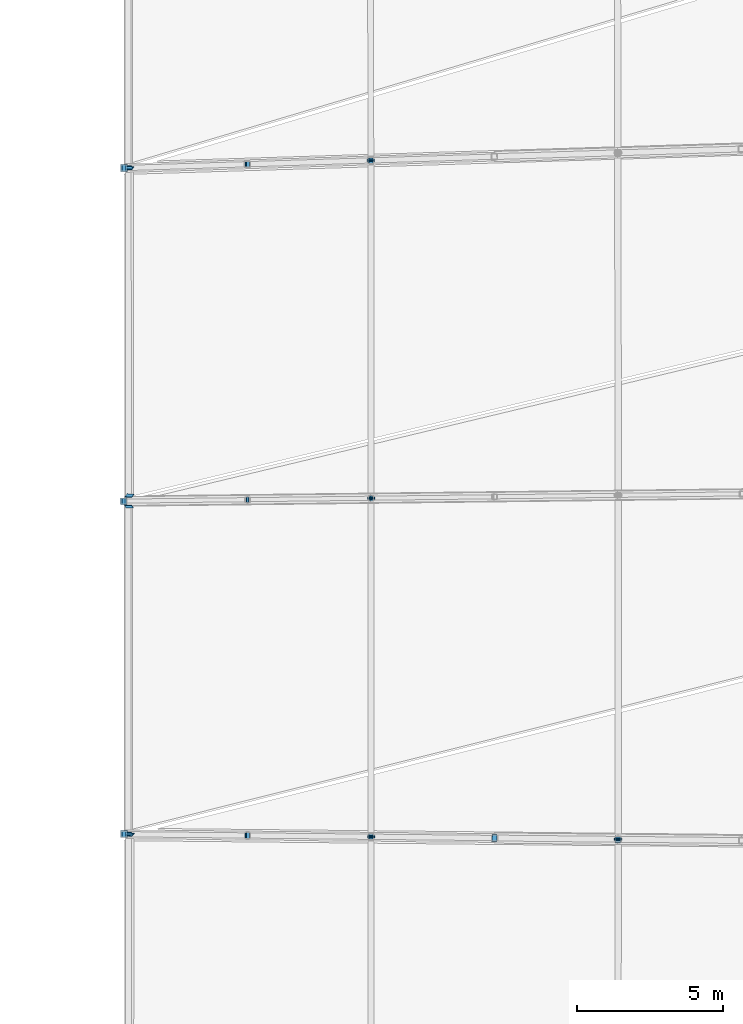
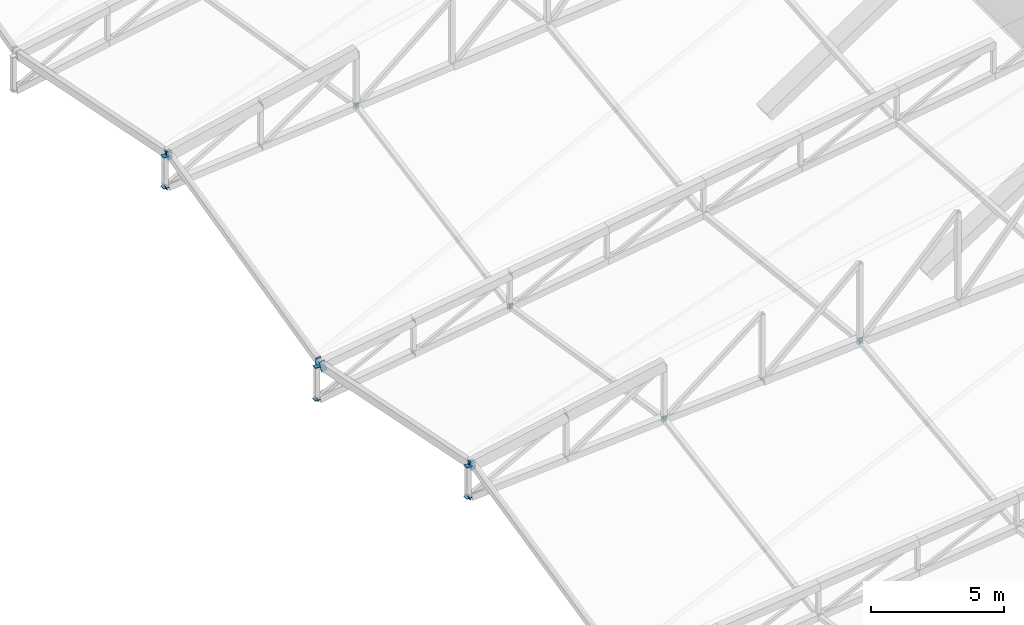
# One storey, part 305 of 344: 35 discrete accessories.
"""IFC4 building model written with IfcOpenShell, lengths in metres."""

from ifc_helpers import new_model, si_unit, direction, frame, origin, origin_2d, place, context, subcontext, project, spatial, rectangle, extrude, material, material_profile, profile_set, type_object, element, save


model = new_model("IFC4")

# Units and contexts
model_context = context("Model", 3, precision=1e-05, world=origin(), true_north=direction((0.0, 1.0)))
body_context = subcontext(model_context, "Body", "Model", "MODEL_VIEW")
ifc_project = project(units=[si_unit("LENGTHUNIT", "METRE"), si_unit("AREAUNIT", "SQUARE_METRE"), si_unit("VOLUMEUNIT", "CUBIC_METRE"), si_unit("PLANEANGLEUNIT", "RADIAN"), si_unit("MASSUNIT", "GRAM", prefix="KILO")], contexts=[model_context])

# Site, building, storey
site_placement = place(None, origin())
site = spatial("IfcSite", under=ifc_project, at=site_placement, CompositionType="ELEMENT")
building_placement = place(site_placement, origin())
building = spatial("IfcBuilding", under=site, at=building_placement, Name="Meseta Stadium", CompositionType="ELEMENT")
storey_placement = place(building_placement, frame((0.0, 0.0, 24.0)))
storey = spatial("IfcBuildingStorey", under=building, at=storey_placement, Name="L04", CompositionType="ELEMENT", Elevation=24.0)

# Discrete accessories
ifc_material_1 = material(Name="Steel S355", Category="steel")
ifc_material_profile_1 = material_profile(ifc_material_1, rectangle(XDim=0.179931640625, YDim=0.179931640625, at=origin_2d()), Name="PL 180x180")
ifc_profile_set_1 = profile_set([ifc_material_profile_1], Name="Steel S355")
discrete_accessory_type_1 = type_object("IfcDiscreteAccessoryType", Name="End plate 180x180x20", PredefinedType="ANCHORPLATE", material=ifc_profile_set_1)
discrete_accessory_1_placement = place(storey_placement, frame((46.981689453125, 5.690673828125, 1.275390625), z_axis=(0.894427191, 0.0, 0.4472135955), x_axis=(0.0, 1.0, 0.0)))
element("IfcDiscreteAccessory", 1, at=discrete_accessory_1_placement, inside=storey, type_object=discrete_accessory_type_1, Name="End plate of ROOF TRUSS RT-05 diagonal", PredefinedType="ANCHORPLATE", context=body_context, shape_type="SweptSolid", body=[
    extrude(rectangle(XDim=0.179931640625, YDim=0.179931640625, at=origin_2d()), origin(), (0.0, 0.0, 1.0), 0.020263671875),
])
for number, where, z_axis, x_axis, name in (
    (2, (51.2216796875, 5.740478515625, 3.37451171875), (0.891970083601, 0.0, 0.452094425935), (0.0, 1.0, 0.0), "End plate of ROOF TRUSS RT-05 diagonal"),
    (3, (51.20361328125, 5.740234375, 1.888427734375), (0.899168702485, 0.012150928412, 0.437433422831), (-0.013512279797, 0.99990870498, 0.0), "End plate of ROOF TRUSS RT-05 diagonal"),
):
    element("IfcDiscreteAccessory", number, at=place(storey_placement, frame(where, z_axis=z_axis, x_axis=x_axis)), inside=storey, type_object=discrete_accessory_type_1, Name=name, PredefinedType="ANCHORPLATE", context=body_context, shape_type="SweptSolid", body=[
        extrude(rectangle(XDim=0.179931640625, YDim=0.179931640625, at=origin_2d()), origin(), (0.0, 0.0, 1.0), 0.02001953125),
    ])
discrete_accessory_2_placement = place(storey_placement, frame((55.443603515625, 5.7900390625, 3.987548828125), z_axis=(0.896803189872, 0.012284975204, 0.442259107334), x_axis=(-0.013697345027, 0.999906186969, 0.0)))
element("IfcDiscreteAccessory", 4, at=discrete_accessory_2_placement, inside=storey, type_object=discrete_accessory_type_1, Name="End plate of ROOF TRUSS RT-05 diagonal", PredefinedType="ANCHORPLATE", context=body_context, shape_type="SweptSolid", body=[
    extrude(rectangle(XDim=0.179931640625, YDim=0.179931640625, at=origin_2d()), origin(), (0.0, 0.0, 1.0), 0.019775390625),
])
discrete_accessory_3_placement = place(storey_placement, frame((55.425537109375, 5.789794921875, 2.501220703125), z_axis=(0.899168702485, 0.012150928412, 0.437433422831), x_axis=(-0.013512279797, 0.99990870498, 0.0)))
element("IfcDiscreteAccessory", 5, at=discrete_accessory_3_placement, inside=storey, type_object=discrete_accessory_type_1, Name="End plate of ROOF TRUSS RT-05 diagonal", PredefinedType="ANCHORPLATE", context=body_context, shape_type="SweptSolid", body=[
    extrude(rectangle(XDim=0.179931640625, YDim=0.179931640625, at=origin_2d()), origin(), (0.0, 0.0, 1.0), 0.02001953125),
])
ifc_material_2 = material(Name="Steel S355", Category="steel")
ifc_material_profile_2 = material_profile(ifc_material_2, rectangle(XDim=0.219970703125, YDim=0.219970703125, at=origin_2d()), Name="PL 220x220")
ifc_profile_set_2 = profile_set([ifc_material_profile_2], Name="Steel S355")
discrete_accessory_type_2 = type_object("IfcDiscreteAccessoryType", Name="End plate 220x220x20", PredefinedType="ANCHORPLATE", material=ifc_profile_set_2)
discrete_accessory_4_placement = place(storey_placement, frame((46.98193359375, -5.690673828125, 3.69482421875), z_axis=(0.882018256262, 0.0, 0.471215232798), x_axis=(0.0, 1.0, 0.0)))
element("IfcDiscreteAccessory", 6, at=discrete_accessory_4_placement, inside=storey, type_object=discrete_accessory_type_2, Name="End plate of ROOF TRUSS RT-04 diagonal", PredefinedType="ANCHORPLATE", context=body_context, shape_type="SweptSolid", body=[
    extrude(rectangle(XDim=0.219970703125, YDim=0.219970703125, at=origin_2d()), origin(), (0.0, 0.0, 1.0), 0.020263671875),
])
for number, where, z_axis, x_axis, name in (
    (7, (51.2216796875, -5.734130859375, 5.989013671875), (0.879226404, -0.012211477833, 0.4762476355), (0.013887549491, 0.999903563335, 0.0), "End plate of ROOF TRUSS RT-04 diagonal"),
    (8, (51.205078125, -5.734130859375, 4.029541015625), (0.828283413128, 0.0, 0.560309367704), (0.0, 1.0, 0.0), "End plate of ROOF TRUSS RT-04 diagonal"),
    (9, (55.427978515625, -5.77734375, 4.364501953125), (0.776056939204, -0.012125889675, 0.630546263103), (0.015623093001, 0.999877952035, 0.0), "End plate of ROOF TRUSS RT-04 diagonal"),
    (10, (46.999755859375, 5.690673828125, 1.264404296875), (0.0, 0.0, 1.0), (1.0, 0.0, 0.0), "End plate of ROOF TRUSS RT-05 post"),
    (11, (46.999755859375, 5.690673828125, 2.76171875), (0.0, 0.0, 1.0), (1.0, 0.0, 0.0), "End plate of ROOF TRUSS RT-05 post"),
):
    element("IfcDiscreteAccessory", number, at=place(storey_placement, frame(where, z_axis=z_axis, x_axis=x_axis)), inside=storey, type_object=discrete_accessory_type_2, Name=name, PredefinedType="ANCHORPLATE", context=body_context, shape_type="SweptSolid", body=[
        extrude(rectangle(XDim=0.219970703125, YDim=0.219970703125, at=origin_2d()), origin(), (0.0, 0.0, 1.0), 0.02001953125),
    ])
discrete_accessory_5_placement = place(storey_placement, frame((46.97900390625, 17.07177734375, 4.10302734375), z_axis=(0.881760845413, 0.024157831381, 0.471077711933), x_axis=(-0.027386983732, 0.999624906213, 0.0)))
element("IfcDiscreteAccessory", 12, at=discrete_accessory_5_placement, inside=storey, type_object=discrete_accessory_type_2, Name="End plate of ROOF TRUSS RT-06 diagonal", PredefinedType="ANCHORPLATE", context=body_context, shape_type="SweptSolid", body=[
    extrude(rectangle(XDim=0.219970703125, YDim=0.219970703125, at=origin_2d()), origin(), (0.0, 0.0, 1.0), 0.020263671875),
])
discrete_accessory_6_placement = place(storey_placement, frame((51.217041015625, 17.202392578125, 6.364990234375), z_axis=(0.884118010343, 0.024558833621, 0.466617838792), x_axis=(-0.02776706724, 0.999614420653, 0.0)))
element("IfcDiscreteAccessory", 13, at=discrete_accessory_6_placement, inside=storey, type_object=discrete_accessory_type_2, Name="End plate of ROOF TRUSS RT-06 diagonal", PredefinedType="ANCHORPLATE", context=body_context, shape_type="SweptSolid", body=[
    extrude(rectangle(XDim=0.219970703125, YDim=0.219970703125, at=origin_2d()), origin(), (0.0, 0.0, 1.0), 0.019775390625),
])
discrete_accessory_7_placement = place(storey_placement, frame((51.2001953125, 17.201904296875, 4.40576171875), z_axis=(0.837363841613, 0.024271415699, 0.546106853226), x_axis=(-0.028973338687, 0.9995801847, 0.0)))
element("IfcDiscreteAccessory", 14, at=discrete_accessory_7_placement, inside=storey, type_object=discrete_accessory_type_2, Name="End plate of ROOF TRUSS RT-06 diagonal", PredefinedType="ANCHORPLATE", context=body_context, shape_type="SweptSolid", body=[
    extrude(rectangle(XDim=0.219970703125, YDim=0.219970703125, at=origin_2d()), origin(), (0.0, 0.0, 1.0), 0.02001953125),
])
discrete_accessory_8_placement = place(storey_placement, frame((55.42138671875, 17.33203125, 4.70849609375), z_axis=(0.786507747139, 0.024200238374, 0.617106078525), x_axis=(-0.030754675787, 0.999526963077, 0.0)))
element("IfcDiscreteAccessory", 15, at=discrete_accessory_8_placement, inside=storey, type_object=discrete_accessory_type_2, Name="End plate of ROOF TRUSS RT-06 diagonal", PredefinedType="ANCHORPLATE", context=body_context, shape_type="SweptSolid", body=[
    extrude(rectangle(XDim=0.219970703125, YDim=0.219970703125, at=origin_2d()), origin(), (0.0, 0.0, 1.0), 0.020263671875),
])
ifc_material_3 = material(Name="Steel S355", Category="steel")
ifc_material_profile_3 = material_profile(ifc_material_3, rectangle(XDim=0.239990234375, YDim=0.239990234375, at=origin_2d()), Name="PL 240x240")
ifc_profile_set_3 = profile_set([ifc_material_profile_3], Name="Steel S355")
discrete_accessory_type_3 = type_object("IfcDiscreteAccessoryType", Name="End plate 240x240x20", PredefinedType="ANCHORPLATE", material=ifc_profile_set_3)
for number, where, z_axis, x_axis, name in (
    (16, (46.999755859375, -5.690673828125, 3.684326171875), (0.0, 0.0, 1.0), (1.0, 0.0, 0.0), "End plate of ROOF TRUSS RT-04 post"),
    (17, (46.999755859375, -5.690673828125, 5.1044921875), (0.0, 0.0, 1.0), (1.0, 0.0, 0.0), "End plate of ROOF TRUSS RT-04 post"),
):
    element("IfcDiscreteAccessory", number, at=place(storey_placement, frame(where, z_axis=z_axis, x_axis=x_axis)), inside=storey, type_object=discrete_accessory_type_3, Name=name, PredefinedType="ANCHORPLATE", context=body_context, shape_type="SweptSolid", body=[
        extrude(rectangle(XDim=0.239990234375, YDim=0.239990234375, at=origin_2d()), origin(), (0.0, 0.0, 1.0), 0.02001953125),
    ])
discrete_accessory_9_placement = place(storey_placement, frame((59.65087890625, -5.82080078125, 4.699951171875), z_axis=(0.737098512223, -0.012284975204, 0.675673636205), x_axis=(0.016664352334, 0.99986114004, 0.0)))
element("IfcDiscreteAccessory", 18, at=discrete_accessory_9_placement, inside=storey, type_object=discrete_accessory_type_3, Name="End plate of ROOF TRUSS RT-04 diagonal", PredefinedType="ANCHORPLATE", context=body_context, shape_type="SweptSolid", body=[
    extrude(rectangle(XDim=0.239990234375, YDim=0.239990234375, at=origin_2d()), origin(), (0.0, 0.0, 1.0), 0.019775390625),
])
for number, where, z_axis, x_axis, name in (
    (19, (63.8740234375, -5.8642578125, 5.03515625), (0.68226760886, -0.012183350158, 0.731001009493), (0.017854296417, 0.999840599345, 0.0), "End plate of ROOF TRUSS RT-04 diagonal"),
    (20, (46.996826171875, 17.072265625, 4.092529296875), (0.0, 0.0, 1.0), (1.0, 0.0, 0.0), "End plate of ROOF TRUSS RT-06 post"),
    (21, (46.996826171875, 17.072265625, 5.512451171875), (0.0, 0.0, 1.0), (1.0, 0.0, 0.0), "End plate of ROOF TRUSS RT-06 post"),
    (22, (55.443603515625, -5.777587890625, 4.377197265625), (0.0, 0.985389793052, 0.170314285219), (-1.0, 0.0, 0.0), "End plate of ROOF TRUSS STRUT RT-03/04"),
    (23, (55.443603515625, -5.79736328125, 4.38037109375), (0.0, 0.987364450794, -0.15846589951), (-1.0, 0.0, 0.0), "End plate of ROOF TRUSS STRUT RT-04/05"),
    (24, (55.443603515625, 5.7900390625, 2.510009765625), (0.0, 0.987364450794, -0.15846589951), (-1.0, 0.0, 0.0), "End plate of ROOF TRUSS STRUT RT-04/05"),
    (25, (55.443603515625, 5.770263671875, 2.50634765625), (0.0, 0.983282004984, 0.182089260182), (-1.0, 0.0, 0.0), "End plate of ROOF TRUSS STRUT RT-05/06"),
):
    element("IfcDiscreteAccessory", number, at=place(storey_placement, frame(where, z_axis=z_axis, x_axis=x_axis)), inside=storey, type_object=discrete_accessory_type_3, Name=name, PredefinedType="ANCHORPLATE", context=body_context, shape_type="SweptSolid", body=[
        extrude(rectangle(XDim=0.239990234375, YDim=0.239990234375, at=origin_2d()), origin(), (0.0, 0.0, 1.0), 0.02001953125),
    ])
discrete_accessory_10_placement = place(storey_placement, frame((55.437255859375, 17.33251953125, 4.720947265625), z_axis=(0.0, 0.981043742203, 0.193786418213), x_axis=(-1.0, 0.0, 0.0)))
element("IfcDiscreteAccessory", 26, at=discrete_accessory_10_placement, inside=storey, type_object=discrete_accessory_type_3, Name="End plate of ROOF TRUSS STRUT RT-05/06", PredefinedType="ANCHORPLATE", context=body_context, shape_type="SweptSolid", body=[
    extrude(rectangle(XDim=0.239990234375, YDim=0.239990234375, at=origin_2d()), origin(), (0.0, 0.0, 1.0), 0.020263671875),
])
discrete_accessory_11_placement = place(storey_placement, frame((55.437255859375, 17.312744140625, 4.724365234375), z_axis=(0.0, 0.985389793052, -0.170314285219), x_axis=(-1.0, 0.0, 0.0)))
element("IfcDiscreteAccessory", 27, at=discrete_accessory_11_placement, inside=storey, type_object=discrete_accessory_type_3, Name="End plate of ROOF TRUSS STRUT RT-06/07", PredefinedType="ANCHORPLATE", context=body_context, shape_type="SweptSolid", body=[
    extrude(rectangle(XDim=0.239990234375, YDim=0.239990234375, at=origin_2d()), origin(), (0.0, 0.0, 1.0), 0.02001953125),
])
ifc_material_4 = material(Name="Steel S355", Category="steel")
ifc_material_profile_4 = material_profile(ifc_material_4, rectangle(XDim=0.239990234375, YDim=0.43994140625, at=origin_2d()), Name="PL 240x440")
ifc_profile_set_4 = profile_set([ifc_material_profile_4], Name="Steel S355")
discrete_accessory_type_4 = type_object("IfcDiscreteAccessoryType", Name="End plate 240x440x20", PredefinedType="ANCHORPLATE", material=ifc_profile_set_4)
for number, where, z_axis, x_axis, name in (
    (28, (47.19873046875, -5.71533203125, 5.116943359375), (0.0, 0.978158850918, 0.20785875582), (-0.979311618247, 0.042061879133, -0.197938254742), "End plate of TIP RING BEAM 04"),
    (29, (47.170166015625, -5.6787109375, 5.110595703125), (0.0, 0.978158850918, -0.20785875582), (-0.989707897435, -0.029745072925, -0.139976813767), "End plate of TIP RING BEAM 05"),
    (30, (47.170166015625, 5.497802734375, 2.83935546875), (0.0, 0.978158850918, -0.20785875582), (-0.989707897435, -0.029745072925, -0.139976813767), "End plate of TIP RING BEAM 05"),
):
    element("IfcDiscreteAccessory", number, at=place(storey_placement, frame(where, z_axis=z_axis, x_axis=x_axis)), inside=storey, type_object=discrete_accessory_type_4, Name=name, PredefinedType="ANCHORPLATE", context=body_context, shape_type="SweptSolid", body=[
        extrude(rectangle(XDim=0.239990234375, YDim=0.43994140625, at=origin_2d()), origin(), (0.0, 0.0, 1.0), 0.02001953125),
    ])
discrete_accessory_12_placement = place(storey_placement, frame((47.19091796875, 5.86865234375, 2.846923828125), z_axis=(0.0, 0.972275475429, 0.233838405483), x_axis=(-0.982543306382, 0.043501895138, -0.180876300835)))
element("IfcDiscreteAccessory", 31, at=discrete_accessory_12_placement, inside=storey, type_object=discrete_accessory_type_4, Name="End plate of TIP RING BEAM 06", PredefinedType="ANCHORPLATE", context=body_context, shape_type="SweptSolid", body=[
    extrude(rectangle(XDim=0.239990234375, YDim=0.43994140625, at=origin_2d()), origin(), (0.0, 0.0, 1.0), 0.019775390625),
])
discrete_accessory_13_placement = place(storey_placement, frame((47.18798828125, 17.0556640625, 5.521240234375), z_axis=(0.0, 0.97293655072, 0.231072430796), x_axis=(-0.982543306382, 0.042987329788, -0.180999283319)))
element("IfcDiscreteAccessory", 32, at=discrete_accessory_13_placement, inside=storey, type_object=discrete_accessory_type_4, Name="End plate of TIP RING BEAM 06", PredefinedType="ANCHORPLATE", context=body_context, shape_type="SweptSolid", body=[
    extrude(rectangle(XDim=0.239990234375, YDim=0.43994140625, at=origin_2d()), origin(), (0.0, 0.0, 1.0), 0.02001953125),
])
discrete_accessory_14_placement = place(storey_placement, frame((47.167236328125, 17.085693359375, 5.5185546875), z_axis=(0.0, 0.978677791195, -0.205401511732), x_axis=(-0.989692059402, -0.029415925881, -0.14015823508)))
element("IfcDiscreteAccessory", 33, at=discrete_accessory_14_placement, inside=storey, type_object=discrete_accessory_type_4, Name="End plate of TIP RING BEAM 07", PredefinedType="ANCHORPLATE", context=body_context, shape_type="SweptSolid", body=[
    extrude(rectangle(XDim=0.239990234375, YDim=0.43994140625, at=origin_2d()), origin(), (0.0, 0.0, 1.0), 0.020263671875),
])
ifc_material_5 = material(Name="Steel S355", Category="steel")
ifc_material_profile_5 = material_profile(ifc_material_5, rectangle(XDim=0.260009765625, YDim=0.260009765625, at=origin_2d()), Name="PL 260x260")
ifc_profile_set_5 = profile_set([ifc_material_profile_5], Name="Steel S355")
discrete_accessory_type_5 = type_object("IfcDiscreteAccessoryType", Name="End plate 260x260x20", PredefinedType="ANCHORPLATE", material=ifc_profile_set_5)
discrete_accessory_15_placement = place(storey_placement, frame((63.8876953125, -5.864501953125, 5.0498046875), z_axis=(0.0, 0.992645877551, 0.121054375311), x_axis=(-1.0, 0.0, 0.0)))
element("IfcDiscreteAccessory", 34, at=discrete_accessory_15_placement, inside=storey, type_object=discrete_accessory_type_5, Name="End plate of ROOF TRUSS STRUT RT-03/04", PredefinedType="ANCHORPLATE", context=body_context, shape_type="SweptSolid", body=[
    extrude(rectangle(XDim=0.260009765625, YDim=0.260009765625, at=origin_2d()), origin(), (0.0, 0.0, 1.0), 0.020263671875),
])
discrete_accessory_16_placement = place(storey_placement, frame((63.8876953125, -5.88427734375, 5.052001953125), z_axis=(0.0, 0.993883734674, -0.110431526075), x_axis=(-1.0, 0.0, 0.0)))
element("IfcDiscreteAccessory", 35, at=discrete_accessory_16_placement, inside=storey, type_object=discrete_accessory_type_5, Name="End plate of ROOF TRUSS STRUT RT-04/05", PredefinedType="ANCHORPLATE", context=body_context, shape_type="SweptSolid", body=[
    extrude(rectangle(XDim=0.260009765625, YDim=0.260009765625, at=origin_2d()), origin(), (0.0, 0.0, 1.0), 0.019775390625),
])

save(model, "model.ifc")
